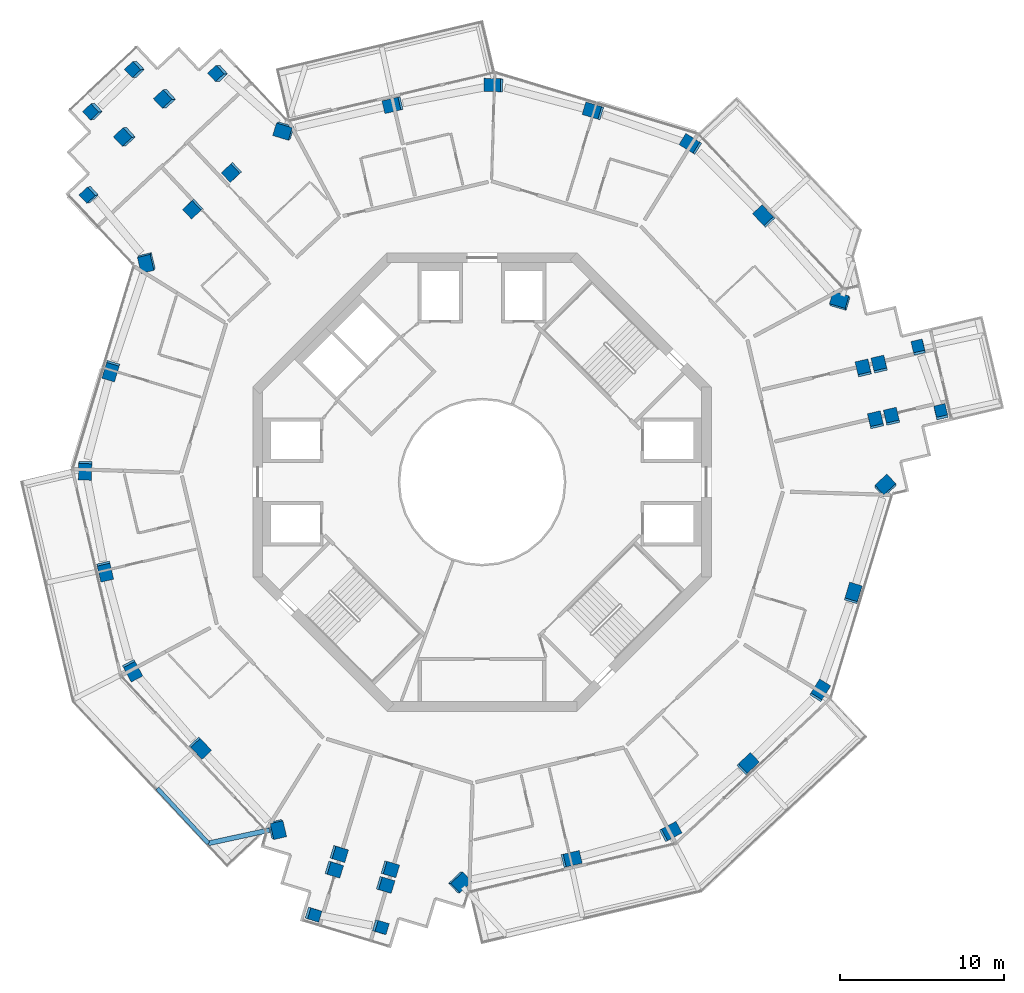
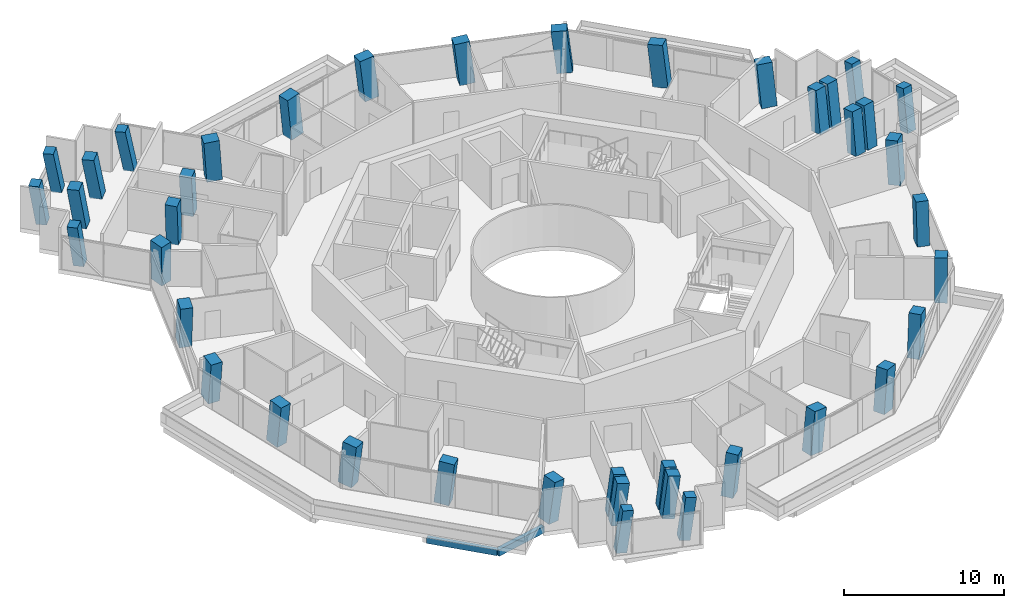
# One storey, part 1 of 24: 41 columns, 2 beams.
"""IFC4 building model written with IfcOpenShell, lengths in metres."""

import ifcopenshell
import ifcopenshell.guid

model = None  # the IFC model being written
_history = None  # IfcOwnerHistory: only IFC2X3 demands one
_inside = {}  # id of a spatial element -> (the spatial element, [elements in it])
_under = {}  # id of a project, library or spatial element -> (it, [spatial elements below it])
_declared = {}  # id of a project -> (the project, [libraries it declares])
_typed = {}  # id of a type object -> (the type object, [elements of that type])
_made_of = {}  # id of a material, layer set ... -> (it, [elements and type objects made of it])


def new_model(schema):
    """Start an empty IFC model of exactly this schema.

    Asked for "IFC4X3", IfcOpenShell would pick the latest addendum, in which some entities
    have other attributes; the version numbers below select the first issue.
    IFC2X3 requires an IfcOwnerHistory on every rooted entity: one is made here for all.
    """
    global model, _history
    if schema == "IFC4X3":
        model = ifcopenshell.file(schema_version=(4, 3, 0, 0))
    else:
        model = ifcopenshell.file(schema=schema)
    _inside.clear()
    _under.clear()
    _declared.clear()
    _typed.clear()
    _made_of.clear()
    _history = None
    if model.schema == "IFC2X3":
        org = make("IfcOrganization", Name="unknown")
        user = make(
            "IfcPersonAndOrganization",
            ThePerson=make("IfcPerson", FamilyName="unknown"),
            TheOrganization=org,
        )
        app = make(
            "IfcApplication",
            ApplicationDeveloper=org,
            Version="unknown",
            ApplicationFullName="unknown",
            ApplicationIdentifier="unknown",
        )
        _history = make(
            "IfcOwnerHistory",
            OwningUser=user,
            OwningApplication=app,
            ChangeAction="ADDED",
            CreationDate=0,
        )
    return model


def make(cls, **values):
    """One entity of the class cls with the attributes given. An attribute that is None is left unset."""
    return model.create_entity(
        cls, **{name: value for name, value in values.items() if value is not None}
    )


def rooted(cls, **values):
    """An entity with a GlobalId (a new one), such as an element, a storey or a relation."""
    return make(cls, GlobalId=ifcopenshell.guid.new(), OwnerHistory=_history, **values)


def si_unit(unit_type, name, prefix=None):
    """IfcSIUnit, for example si_unit("LENGTHUNIT", "METRE", prefix="MILLI")."""
    return make("IfcSIUnit", UnitType=unit_type, Prefix=prefix, Name=name)


def assignment(units):
    """IfcUnitAssignment: the units of a project."""
    return None if units is None else make("IfcUnitAssignment", Units=units)


def point(xyz):
    """IfcCartesianPoint."""
    return None if xyz is None else make("IfcCartesianPoint", Coordinates=xyz)


def direction(xyz):
    """IfcDirection."""
    return None if xyz is None else make("IfcDirection", DirectionRatios=xyz)


def frame(location, z_axis=None, x_axis=None):
    """IfcAxis2Placement3D, a coordinate frame: its origin and axes. An axis left out is left unset."""
    return make(
        "IfcAxis2Placement3D",
        Location=point(location),
        Axis=direction(z_axis),
        RefDirection=direction(x_axis),
    )


def frame_2d(location, x_axis=None):
    """IfcAxis2Placement2D, a coordinate frame in the plane: its origin and x axis."""
    return make(
        "IfcAxis2Placement2D", Location=point(location), RefDirection=direction(x_axis)
    )


def origin():
    """The frame at (0, 0, 0) with its axes left unset."""
    return frame((0.0, 0.0, 0.0))


def origin_2d():
    """The frame at (0, 0) in the plane with its x axis left unset."""
    return frame_2d((0.0, 0.0))


def place(relative_to, where):
    """IfcLocalPlacement: puts the frame where relative to a parent placement (None: the world)."""
    return make(
        "IfcLocalPlacement", PlacementRelTo=relative_to, RelativePlacement=where
    )


def context(
    kind, dimensions, precision=None, world=None, true_north=None, identifier=None
):
    """IfcGeometricRepresentationContext, for example the 3D "Model" context."""
    return make(
        "IfcGeometricRepresentationContext",
        ContextIdentifier=identifier,
        ContextType=kind,
        CoordinateSpaceDimension=dimensions,
        Precision=precision,
        WorldCoordinateSystem=world,
        TrueNorth=true_north,
    )


def subcontext(parent, identifier, kind, view, scale=None):
    """IfcGeometricRepresentationSubContext, for example "Body" below "Model"."""
    return make(
        "IfcGeometricRepresentationSubContext",
        ContextIdentifier=identifier,
        ContextType=kind,
        ParentContext=parent,
        TargetScale=scale,
        TargetView=view,
    )


def project(units=None, contexts=None):
    """IfcProject with its units and contexts."""
    return rooted(
        "IfcProject",
        Name="project",
        RepresentationContexts=contexts,
        UnitsInContext=assignment(units),
    )


def spatial(cls, under=None, at=None, **own):
    """A site, building, storey or space (cls), placed at a placement, below another one or the project."""
    s = rooted(cls, ObjectPlacement=at, **own)
    if under is not None:
        _under.setdefault(under.id(), (under, []))[1].append(s)
    return s


def profile(cls, at=None, kind="AREA", **sizes):
    """A parametric profile (cls). Its sizes go by their IFC names, for example OverallWidth=200.0."""
    return make(cls, ProfileType=kind, Position=at, **sizes)


def rectangle(**sizes):
    """IfcRectangleProfileDef."""
    return profile("IfcRectangleProfileDef", **sizes)


def extrude(swept, where, along, depth):
    """IfcExtrudedAreaSolid: the profile swept, set in the frame where, extruded along a direction by depth."""
    return make(
        "IfcExtrudedAreaSolid",
        SweptArea=swept,
        Position=where,
        ExtrudedDirection=direction(along),
        Depth=depth,
    )


def shape(context_of_items, identifier, shape_type, items):
    """IfcShapeRepresentation: the items that make up one representation, for example the "Body"."""
    return make(
        "IfcShapeRepresentation",
        ContextOfItems=context_of_items,
        RepresentationIdentifier=identifier,
        RepresentationType=shape_type,
        Items=items,
    )


def material(Name=None, Category=None):
    """IfcMaterial."""
    return make("IfcMaterial", Name=Name, Category=Category)


def material_profile(
    of_material, cross_section, Name=None, Category=None, Priority=None
):
    """IfcMaterialProfile: a cross section and its material."""
    return make(
        "IfcMaterialProfile",
        Name=Name,
        Material=of_material,
        Profile=cross_section,
        Priority=Priority,
        Category=Category,
    )


def profile_set(profiles, Name=None, composite=None):
    """IfcMaterialProfileSet."""
    return make(
        "IfcMaterialProfileSet",
        Name=Name,
        MaterialProfiles=profiles,
        CompositeProfile=composite,
    )


def made_of(thing, what):
    """Note that an element or type object is made of a material, layer set ...; save() writes the relation."""
    if what is not None:
        _made_of.setdefault(what.id(), (what, []))[1].append(thing)
    return thing


def type_object(cls, material=None, **own):
    """A type object (cls), such as IfcWallType, which elements share."""
    return made_of(rooted(cls, **own), material)


def element(
    cls,
    number,
    at=None,
    inside=None,
    cuts=None,
    type_object=None,
    material=None,
    context=None,
    identifier="Body",
    shape_type=None,
    held_by="IfcProductDefinitionShape",
    body=None,
    shapes=None,
    **own,
):
    """One element of the class cls, such as IfcWall. Its Tag is "e" and its number.

    at: its placement. inside: the storey or other place that contains it. cuts: it is an
    opening in that element (IfcRelVoidsElement). A single representation is given by context,
    identifier, shape_type and body (its items); several are given by shapes. held_by: the class
    of the entity that holds the representations. save() writes the other relations.
    """
    e = rooted(cls, Tag="e%d" % number, ObjectPlacement=at, **own)
    if body is not None:
        shapes = [shape(context, identifier, shape_type, body)]
    if shapes is not None:
        e.Representation = make(held_by, Representations=shapes)
    if inside is not None:
        _inside.setdefault(inside.id(), (inside, []))[1].append(e)
    if cuts is not None:
        rooted(
            "IfcRelVoidsElement", RelatingBuildingElement=cuts, RelatedOpeningElement=e
        )
    if type_object is not None:
        _typed.setdefault(type_object.id(), (type_object, []))[1].append(e)
    return made_of(e, material)


def aggregate(whole, parts):
    """IfcRelAggregates: a whole, such as a stair, and the parts it consists of."""
    return rooted("IfcRelAggregates", RelatingObject=whole, RelatedObjects=parts)


def save(model, path):
    """Write the relations noted so far, then the file.

    IfcRelAggregates (storeys below a building ...), IfcRelContainedInSpatialStructure (elements
    in a storey), IfcRelDefinesByType, IfcRelAssociatesMaterial and IfcRelDeclares: one each for
    every whole, place, type object, material and project.
    """
    for whole, parts in _under.values():
        aggregate(whole, parts)
    for where, things in _inside.values():
        rooted(
            "IfcRelContainedInSpatialStructure",
            RelatedElements=things,
            RelatingStructure=where,
        )
    for kind, things in _typed.values():
        rooted("IfcRelDefinesByType", RelatedObjects=things, RelatingType=kind)
    for what, things in _made_of.values():
        rooted("IfcRelAssociatesMaterial", RelatedObjects=things, RelatingMaterial=what)
    for by, libraries in _declared.values():
        rooted("IfcRelDeclares", RelatingContext=by, RelatedDefinitions=libraries)
    model.write(path)


model = new_model("IFC4")

# Units and contexts
model_context = context("Model", 3, precision=1e-05, world=origin(), true_north=direction((0.0, 1.0)))
body_context = subcontext(model_context, "Body", "Model", "MODEL_VIEW")
ifc_project = project(units=[si_unit("LENGTHUNIT", "METRE"), si_unit("AREAUNIT", "SQUARE_METRE"), si_unit("VOLUMEUNIT", "CUBIC_METRE"), si_unit("PLANEANGLEUNIT", "RADIAN"), si_unit("MASSUNIT", "GRAM", prefix="KILO")], contexts=[model_context])

# Site, building, storey
site_placement = place(None, origin())
site = spatial("IfcSite", under=ifc_project, at=site_placement, CompositionType="ELEMENT")
building_placement = place(site_placement, origin())
building = spatial("IfcBuilding", under=site, at=building_placement, Name="Verdalira Terraces Hotel", CompositionType="ELEMENT")
storey_placement = place(building_placement, frame((0.0, 0.0, 209.0)))
storey = spatial("IfcBuildingStorey", under=building, at=storey_placement, Name="L51", CompositionType="ELEMENT", Elevation=209.0)

# Columns
ifc_material_1 = material(Name="Concrete C60", Category="concrete")
ifc_material_profile_1 = material_profile(ifc_material_1, rectangle(XDim=1.0, YDim=0.800049, at=origin_2d()), Name="RC 1000X800")
ifc_profile_set_1 = profile_set([ifc_material_profile_1], Name="Concrete C60")
column_type_1 = type_object("IfcColumnType", Name="Column RC 1000X800 C60", PredefinedType="COLUMN", material=ifc_profile_set_1)
column_1_placement = place(storey_placement, frame((-20.467285, 13.439697, 0.0), z_axis=(-0.063091766, -0.097830245, 0.993201224), x_axis=(-0.234082405, 0.968872977, 0.080564146)))
element("IfcColumn", 1, at=column_1_placement, inside=storey, type_object=column_type_1, Name="Column C03", PredefinedType="COLUMN", context=body_context, shape_type="SweptSolid", body=[
    extrude(rectangle(XDim=1.0, YDim=0.800049, at=origin_2d()), origin(), (0.0, 0.0, 1.0), 3.21167),
])
column_2_placement = place(storey_placement, frame((-22.648682, 6.837891, 0.0), z_axis=(-0.031560169, -0.107989012, 0.99365101), x_axis=(-0.286821212, -0.951355255, -0.112502316)))
element("IfcColumn", 2, at=column_2_placement, inside=storey, type_object=column_type_1, Name="Column C04", PredefinedType="COLUMN", context=body_context, shape_type="SweptSolid", body=[
    extrude(rectangle(XDim=1.0, YDim=0.800049, at=origin_2d()), origin(), (0.0, 0.0, 1.0), 3.210205),
])
column_3_placement = place(storey_placement, frame((-24.24292, 0.761963, 0.0), z_axis=(-0.002660825, -0.115327752, 0.99332393), x_axis=(0.031341998, 0.992829822, 0.11535434)))
element("IfcColumn", 3, at=column_3_placement, inside=storey, type_object=column_type_1, Name="Column C05", PredefinedType="COLUMN", context=body_context, shape_type="SweptSolid", body=[
    extrude(rectangle(XDim=1.0, YDim=0.800049, at=origin_2d()), origin(), (0.0, 0.0, 1.0), 3.211426),
])
column_4_placement = place(storey_placement, frame((-23.033203, -5.402344, 0.0), z_axis=(0.026616878, -0.109357343, 0.99364607), x_axis=(0.226786103, -0.967420011, -0.112545929)))
element("IfcColumn", 4, at=column_4_placement, inside=storey, type_object=column_type_1, Name="Column C06", PredefinedType="COLUMN", context=body_context, shape_type="SweptSolid", body=[
    extrude(rectangle(XDim=1.0, YDim=0.800049, at=origin_2d()), origin(), (0.0, 0.0, 1.0), 3.210449),
])
column_5_placement = place(storey_placement, frame((-21.375732, -11.46167, 0.0), z_axis=(0.055345312, -0.101187651, 0.993326711), x_axis=(-0.469249686, 0.875501932, 0.115330388)))
element("IfcColumn", 5, at=column_5_placement, inside=storey, type_object=column_type_1, Name="Column C07", PredefinedType="COLUMN", context=body_context, shape_type="SweptSolid", body=[
    extrude(rectangle(XDim=1.0, YDim=0.800049, at=origin_2d()), origin(), (0.0, 0.0, 1.0), 3.211426),
])
column_6_placement = place(storey_placement, frame((-17.246094, -16.195312, 0.0), z_axis=(0.077721499, -0.081371824, 0.993648829), x_axis=(0.68019237, -0.724346074, -0.112521575)))
element("IfcColumn", 6, at=column_6_placement, inside=storey, type_object=column_type_1, Name="Column C08", PredefinedType="COLUMN", context=body_context, shape_type="SweptSolid", body=[
    extrude(rectangle(XDim=1.0, YDim=0.800049, at=origin_2d()), origin(), (0.0, 0.0, 1.0), 3.210449),
])
column_7_placement = place(storey_placement, frame((-12.55957, -21.186035, 0.0), z_axis=(0.101242684, -0.058830208, 0.993120801), x_axis=(-0.221269095, 0.971915118, 0.080131083)))
element("IfcColumn", 7, at=column_7_placement, inside=storey, type_object=column_type_1, Name="Column C09", PredefinedType="COLUMN", context=body_context, shape_type="SweptSolid", body=[
    extrude(rectangle(XDim=1.0, YDim=0.800049, at=origin_2d()), origin(), (0.0, 0.0, 1.0), 3.212158),
])
column_8_placement = place(storey_placement, frame((-1.405518, -24.445068, 0.0), z_axis=(0.116301267, -0.005701043, 0.99319762), x_axis=(-0.721880622, -0.687309506, 0.080585423)))
element("IfcColumn", 8, at=column_8_placement, inside=storey, type_object=column_type_1, Name="Column C12", PredefinedType="COLUMN", context=body_context, shape_type="SweptSolid", body=[
    extrude(rectangle(XDim=1.0, YDim=0.800049, at=origin_2d()), origin(), (0.0, 0.0, 1.0), 3.21167),
])
column_9_placement = place(storey_placement, frame((5.402344, -23.033203, 0.0), z_axis=(0.109357343, 0.026616878, 0.99364607), x_axis=(0.967420011, 0.226786103, -0.112545929)))
element("IfcColumn", 9, at=column_9_placement, inside=storey, type_object=column_type_1, Name="Column C13", PredefinedType="COLUMN", context=body_context, shape_type="SweptSolid", body=[
    extrude(rectangle(XDim=1.0, YDim=0.800049, at=origin_2d()), origin(), (0.0, 0.0, 1.0), 3.210449),
])
column_10_placement = place(storey_placement, frame((11.46167, -21.375732, 0.0), z_axis=(0.101187651, 0.055345312, 0.993326711), x_axis=(-0.875501932, -0.469249686, 0.115330388)))
element("IfcColumn", 10, at=column_10_placement, inside=storey, type_object=column_type_1, Name="Column C14", PredefinedType="COLUMN", context=body_context, shape_type="SweptSolid", body=[
    extrude(rectangle(XDim=1.0, YDim=0.800049, at=origin_2d()), origin(), (0.0, 0.0, 1.0), 3.211426),
])
column_11_placement = place(storey_placement, frame((16.195312, -17.246094, 0.0), z_axis=(0.081371824, 0.077721499, 0.993648829), x_axis=(0.724346074, 0.68019237, -0.112521575)))
element("IfcColumn", 11, at=column_11_placement, inside=storey, type_object=column_type_1, Name="Column C15", PredefinedType="COLUMN", context=body_context, shape_type="SweptSolid", body=[
    extrude(rectangle(XDim=1.0, YDim=0.800049, at=origin_2d()), origin(), (0.0, 0.0, 1.0), 3.210449),
])
column_12_placement = place(storey_placement, frame((20.614014, -12.78125, 0.0), z_axis=(0.059906909, 0.0985271, 0.993329539), x_axis=(-0.523250609, -0.844341944, 0.115306034)))
element("IfcColumn", 12, at=column_12_placement, inside=storey, type_object=column_type_1, Name="Column C16", PredefinedType="COLUMN", context=body_context, shape_type="SweptSolid", body=[
    extrude(rectangle(XDim=1.0, YDim=0.800049, at=origin_2d()), origin(), (0.0, 0.0, 1.0), 3.211426),
])
column_13_placement = place(storey_placement, frame((22.648682, -6.837891, 0.0), z_axis=(0.031560169, 0.107989012, 0.99365101), x_axis=(0.286821212, 0.951355255, -0.112502316)))
element("IfcColumn", 13, at=column_13_placement, inside=storey, type_object=column_type_1, Name="Column C17", PredefinedType="COLUMN", context=body_context, shape_type="SweptSolid", body=[
    extrude(rectangle(XDim=1.0, YDim=0.800049, at=origin_2d()), origin(), (0.0, 0.0, 1.0), 3.210205),
])
column_14_placement = place(storey_placement, frame((24.627441, -0.283691, 0.0), z_axis=(0.000380042, 0.117052919, 0.993125606), x_axis=(-0.731375619, -0.677254149, 0.080103189)))
element("IfcColumn", 14, at=column_14_placement, inside=storey, type_object=column_type_1, Name="Column C18", PredefinedType="COLUMN", context=body_context, shape_type="SweptSolid", body=[
    extrude(rectangle(XDim=1.0, YDim=0.800049, at=origin_2d()), origin(), (0.0, 0.0, 1.0), 3.211914),
])
column_15_placement = place(storey_placement, frame((21.872803, 11.005371, 0.0), z_axis=(-0.053209958, 0.103531375, 0.99320187), x_axis=(0.956204867, -0.281393471, 0.080560333)))
element("IfcColumn", 15, at=column_15_placement, inside=storey, type_object=column_type_1, Name="Column C21", PredefinedType="COLUMN", context=body_context, shape_type="SweptSolid", body=[
    extrude(rectangle(XDim=1.0, YDim=0.800049, at=origin_2d()), origin(), (0.0, 0.0, 1.0), 3.21167),
])
column_16_placement = place(storey_placement, frame((17.246094, 16.195312, 0.0), z_axis=(-0.077721499, 0.081371824, 0.993648829), x_axis=(-0.68019237, 0.724346074, -0.112521575)))
element("IfcColumn", 16, at=column_16_placement, inside=storey, type_object=column_type_1, Name="Column C22", PredefinedType="COLUMN", context=body_context, shape_type="SweptSolid", body=[
    extrude(rectangle(XDim=1.0, YDim=0.800049, at=origin_2d()), origin(), (0.0, 0.0, 1.0), 3.210449),
])
column_17_placement = place(storey_placement, frame((12.78125, 20.614014, 0.0), z_axis=(-0.0985271, 0.059906909, 0.993329539), x_axis=(0.844341944, -0.523250609, 0.115306034)))
element("IfcColumn", 17, at=column_17_placement, inside=storey, type_object=column_type_1, Name="Column C23", PredefinedType="COLUMN", context=body_context, shape_type="SweptSolid", body=[
    extrude(rectangle(XDim=1.0, YDim=0.800049, at=origin_2d()), origin(), (0.0, 0.0, 1.0), 3.211426),
])
column_18_placement = place(storey_placement, frame((6.837891, 22.648682, 0.0), z_axis=(-0.107989012, 0.031560169, 0.99365101), x_axis=(-0.951355255, 0.286821212, -0.112502316)))
element("IfcColumn", 18, at=column_18_placement, inside=storey, type_object=column_type_1, Name="Column C24", PredefinedType="COLUMN", context=body_context, shape_type="SweptSolid", body=[
    extrude(rectangle(XDim=1.0, YDim=0.800049, at=origin_2d()), origin(), (0.0, 0.0, 1.0), 3.210205),
])
column_19_placement = place(storey_placement, frame((0.761963, 24.24292, 0.0), z_axis=(-0.115327752, 0.002660825, 0.99332393), x_axis=(0.992829822, -0.031341998, 0.11535434)))
element("IfcColumn", 19, at=column_19_placement, inside=storey, type_object=column_type_1, Name="Column C25", PredefinedType="COLUMN", context=body_context, shape_type="SweptSolid", body=[
    extrude(rectangle(XDim=1.0, YDim=0.800049, at=origin_2d()), origin(), (0.0, 0.0, 1.0), 3.211426),
])
column_20_placement = place(storey_placement, frame((-5.402344, 23.033203, 0.0), z_axis=(-0.109357343, -0.026616878, 0.99364607), x_axis=(-0.967420011, -0.226786103, -0.112545929)))
element("IfcColumn", 20, at=column_20_placement, inside=storey, type_object=column_type_1, Name="Column C26", PredefinedType="COLUMN", context=body_context, shape_type="SweptSolid", body=[
    extrude(rectangle(XDim=1.0, YDim=0.800049, at=origin_2d()), origin(), (0.0, 0.0, 1.0), 3.210449),
])
column_21_placement = place(storey_placement, frame((-12.067871, 21.469971, 0.0), z_axis=(-0.101621973, -0.058297721, 0.993113463), x_axis=(0.952342438, -0.294306074, 0.080173663)))
element("IfcColumn", 21, at=column_21_placement, inside=storey, type_object=column_type_1, Name="Column C27", PredefinedType="COLUMN", context=body_context, shape_type="SweptSolid", body=[
    extrude(rectangle(XDim=1.0, YDim=0.800049, at=origin_2d()), origin(), (0.0, 0.0, 1.0), 3.212158),
])
ifc_material_2 = material(Name="Concrete C60", Category="concrete")
ifc_material_profile_2 = material_profile(ifc_material_2, rectangle(XDim=0.699951, YDim=0.699951, at=origin_2d()), Name="RC 700X700")
ifc_profile_set_2 = profile_set([ifc_material_profile_2], Name="Concrete C60")
column_type_2 = type_object("IfcColumnType", Name="Column RC 700X700 C60", PredefinedType="COLUMN", material=ifc_profile_set_2)
column_22_placement = place(storey_placement, frame((-16.020508, 24.948486, 0.0), z_axis=(-0.195665893, 0.005328837, 0.980656138), x_axis=(-0.663842953, 0.735319066, -0.136449275)))
element("IfcColumn", 22, at=column_22_placement, inside=storey, type_object=column_type_2, Name="Column C01", PredefinedType="COLUMN", context=body_context, shape_type="SweptSolid", body=[
    extrude(rectangle(XDim=0.699951, YDim=0.699951, at=origin_2d()), origin(), (0.0, 0.0, 1.0), 3.25293),
])
column_23_placement = place(storey_placement, frame((-23.921631, 17.556396, 0.0), z_axis=(-0.161549459, -0.031630478, 0.986357585), x_axis=(0.6727957, -0.73473868, 0.086631509)))
element("IfcColumn", 23, at=column_23_placement, inside=storey, type_object=column_type_2, Name="Column C02", PredefinedType="COLUMN", context=body_context, shape_type="SweptSolid", body=[
    extrude(rectangle(XDim=0.699951, YDim=0.699951, at=origin_2d()), origin(), (0.0, 0.0, 1.0), 3.234131),
])
column_24_placement = place(storey_placement, frame((-10.369385, -26.387451, 0.0), z_axis=(0.125589434, -0.048157784, 0.990912772), x_axis=(0.949017722, -0.285256112, -0.134142888)))
element("IfcColumn", 24, at=column_24_placement, inside=storey, type_object=column_type_2, Name="Column C10", PredefinedType="COLUMN", context=body_context, shape_type="SweptSolid", body=[
    extrude(rectangle(XDim=0.699951, YDim=0.699951, at=origin_2d()), origin(), (0.0, 0.0, 1.0), 3.219238),
])
column_25_placement = place(storey_placement, frame((-6.259766, -27.168701, 0.0), z_axis=(0.129192225, -0.028599805, 0.991207052), x_axis=(0.948628858, -0.287567606, -0.131939992)))
element("IfcColumn", 25, at=column_25_placement, inside=storey, type_object=column_type_2, Name="Column C11", PredefinedType="COLUMN", context=body_context, shape_type="SweptSolid", body=[
    extrude(rectangle(XDim=0.699951, YDim=0.699951, at=origin_2d()), origin(), (0.0, 0.0, 1.0), 3.218262),
])
column_26_placement = place(storey_placement, frame((28.036865, 4.213623, 0.0), z_axis=(-0.021083388, 0.132795012, 0.990919258), x_axis=(-0.22748557, 0.964504425, -0.134095227)))
element("IfcColumn", 26, at=column_26_placement, inside=storey, type_object=column_type_2, Name="Column C19", PredefinedType="COLUMN", context=body_context, shape_type="SweptSolid", body=[
    extrude(rectangle(XDim=0.699951, YDim=0.699951, at=origin_2d()), origin(), (0.0, 0.0, 1.0), 3.219238),
])
column_27_placement = place(storey_placement, frame((26.658691, 8.163086, 0.0), z_axis=(-0.039827446, 0.126158178, 0.991210315), x_axis=(-0.225326969, 0.965311363, -0.131915617)))
element("IfcColumn", 27, at=column_27_placement, inside=storey, type_object=column_type_2, Name="Column C20", PredefinedType="COLUMN", context=body_context, shape_type="SweptSolid", body=[
    extrude(rectangle(XDim=0.699951, YDim=0.699951, at=origin_2d()), origin(), (0.0, 0.0, 1.0), 3.218262),
])
column_28_placement = place(storey_placement, frame((-21.106201, 25.20752, 0.0), z_axis=(-0.196572998, -0.018531882, 0.980314044), x_axis=(-0.707090041, -0.68996494, -0.154829117)))
element("IfcColumn", 28, at=column_28_placement, inside=storey, type_object=column_type_2, Name="Column C28", PredefinedType="COLUMN", context=body_context, shape_type="SweptSolid", body=[
    extrude(rectangle(XDim=0.699951, YDim=0.699951, at=origin_2d()), origin(), (0.0, 0.0, 1.0), 3.253906),
])
column_29_placement = place(storey_placement, frame((-23.677002, 22.642334, 0.0), z_axis=(-0.184792303, -0.030598237, 0.982301152), x_axis=(-0.708821142, -0.68819706, -0.154781767)))
element("IfcColumn", 29, at=column_29_placement, inside=storey, type_object=column_type_2, Name="Column C29", PredefinedType="COLUMN", context=body_context, shape_type="SweptSolid", body=[
    extrude(rectangle(XDim=0.699951, YDim=0.699951, at=origin_2d()), origin(), (0.0, 0.0, 1.0), 3.247314),
])
ifc_material_3 = material(Name="Concrete C60", Category="concrete")
ifc_material_profile_3 = material_profile(ifc_material_3, rectangle(XDim=0.800049, YDim=0.800049, at=origin_2d()), Name="RC 800X800")
ifc_profile_set_3 = profile_set([ifc_material_profile_3], Name="Concrete C60")
column_type_3 = type_object("IfcColumnType", Name="Column RC 800X800 C60", PredefinedType="COLUMN", material=ifc_profile_set_3)
for number, where, z_axis, x_axis, name in (
    (30, (-15.252686, 18.954346, 0.0), (-0.089552019, -0.073283655, 0.993282408), (-0.683748291, 0.729676145, -0.00781017), "Column C30"),
    (31, (-17.626465, 16.725098, 0.0), (-0.078834804, -0.084460432, 0.993303332), (-0.685042438, 0.728463812, 0.007571888), "Column C31"),
):
    element("IfcColumn", number, at=place(storey_placement, frame(where, z_axis=z_axis, x_axis=x_axis)), inside=storey, type_object=column_type_3, Name=name, PredefinedType="COLUMN", context=body_context, shape_type="SweptSolid", body=[
        extrude(rectangle(XDim=0.800049, YDim=0.800049, at=origin_2d()), origin(), (0.0, 0.0, 1.0), 3.211426),
    ])
column_30_placement = place(storey_placement, frame((-19.273193, 23.40332, 0.0), z_axis=(-0.188497998, -0.009920947, 0.982023462), x_axis=(-0.666574802, 0.7356316, -0.12051632)))
element("IfcColumn", 32, at=column_30_placement, inside=storey, type_object=column_type_3, Name="Column C32", PredefinedType="COLUMN", context=body_context, shape_type="SweptSolid", body=[
    extrude(rectangle(XDim=0.800049, YDim=0.800049, at=origin_2d()), origin(), (0.0, 0.0, 1.0), 3.248291),
])
column_31_placement = place(storey_placement, frame((-21.730713, 21.095703, 0.0), z_axis=(-0.17785024, -0.021459491, 0.983823553), x_axis=(-0.669649434, 0.73521472, -0.10501881)))
element("IfcColumn", 33, at=column_31_placement, inside=storey, type_object=column_type_3, Name="Column C33", PredefinedType="COLUMN", context=body_context, shape_type="SweptSolid", body=[
    extrude(rectangle(XDim=0.800049, YDim=0.800049, at=origin_2d()), origin(), (0.0, 0.0, 1.0), 3.242432),
])
for number, where, z_axis, x_axis, name in (
    (34, (-8.788574, -22.686279, 0.0), (0.108177829, -0.040899278, 0.99328989), (-0.290127475, -0.956956173, -0.007805834), "Column C34"),
    (35, (-5.671143, -23.627686, 0.0), (0.112513303, -0.025999696, 0.993310008), (-0.288091286, -0.957573044, 0.007568125), "Column C35"),
):
    element("IfcColumn", number, at=place(storey_placement, frame(where, z_axis=z_axis, x_axis=x_axis)), inside=storey, type_object=column_type_3, Name=name, PredefinedType="COLUMN", context=body_context, shape_type="SweptSolid", body=[
        extrude(rectangle(XDim=0.800049, YDim=0.800049, at=origin_2d()), origin(), (0.0, 0.0, 1.0), 3.211426),
    ])
column_32_placement = place(storey_placement, frame((-9.09375, -23.638916, 0.0), z_axis=(0.112675924, -0.042243974, 0.99273339), x_axis=(-0.289770834, -0.957063972, -0.007836937)))
element("IfcColumn", 36, at=column_32_placement, inside=storey, type_object=column_type_3, Name="Column C36", PredefinedType="COLUMN", context=body_context, shape_type="SweptSolid", body=[
    extrude(rectangle(XDim=0.800049, YDim=0.800049, at=origin_2d()), origin(), (0.0, 0.0, 1.0), 3.213379),
])
column_33_placement = place(storey_placement, frame((-5.960205, -24.584961, 0.0), z_axis=(0.117084069, -0.027352541, 0.992745264), x_axis=(-0.288173967, -0.957547878, 0.007604381)))
element("IfcColumn", 37, at=column_33_placement, inside=storey, type_object=column_type_3, Name="Column C37", PredefinedType="COLUMN", context=body_context, shape_type="SweptSolid", body=[
    extrude(rectangle(XDim=0.800049, YDim=0.800049, at=origin_2d()), origin(), (0.0, 0.0, 1.0), 3.213135),
])
for number, where, z_axis, x_axis, name in (
    (38, (24.04126, 3.731934, 0.0), (-0.018701041, 0.114182777, 0.993283728), (0.97376558, 0.227419455, -0.007809405), "Column C38"),
    (39, (23.297607, 6.902344, 0.0), (-0.033753612, 0.110535476, 0.993298848), (0.973358452, 0.229163593, 0.007574414), "Column C39"),
):
    element("IfcColumn", number, at=place(storey_placement, frame(where, z_axis=z_axis, x_axis=x_axis)), inside=storey, type_object=column_type_3, Name=name, PredefinedType="COLUMN", context=body_context, shape_type="SweptSolid", body=[
        extrude(rectangle(XDim=0.800049, YDim=0.800049, at=origin_2d()), origin(), (0.0, 0.0, 1.0), 3.211426),
    ])
column_34_placement = place(storey_placement, frame((25.018799, 3.944092, 0.0), z_axis=(-0.019754254, 0.118753458, 0.992727246), x_axis=(0.973741894, 0.227519789, -0.007840237)))
element("IfcColumn", 40, at=column_34_placement, inside=storey, type_object=column_type_3, Name="Column C40", PredefinedType="COLUMN", context=body_context, shape_type="SweptSolid", body=[
    extrude(rectangle(XDim=0.800049, YDim=0.800049, at=origin_2d()), origin(), (0.0, 0.0, 1.0), 3.213379),
])
column_35_placement = place(storey_placement, frame((24.27124, 7.130859, 0.0), z_axis=(-0.034874631, 0.115033095, 0.992749287), x_axis=(0.973287597, 0.229463417, 0.00760228)))
element("IfcColumn", 41, at=column_35_placement, inside=storey, type_object=column_type_3, Name="Column C41", PredefinedType="COLUMN", context=body_context, shape_type="SweptSolid", body=[
    extrude(rectangle(XDim=0.800049, YDim=0.800049, at=origin_2d()), origin(), (0.0, 0.0, 1.0), 3.213135),
])

# Beams
ifc_material_4 = material(Name="Concrete C40", Category="concrete")
ifc_material_profile_4 = material_profile(ifc_material_4, rectangle(XDim=0.300049, YDim=0.5, at=origin_2d()), Name="RC 300X500")
ifc_profile_set_4 = profile_set([ifc_material_profile_4], Name="Concrete C40")
beam_type_1 = type_object("IfcBeamType", Name="Balcony cantilever beam RC 300X500 C40", PredefinedType="BEAM", material=ifc_profile_set_4)
beam_1_placement = place(storey_placement, frame((-12.981689, -21.251953, -0.560059), z_axis=(-0.977267993, -0.212007713, 0.0), x_axis=(0.212007713, -0.977267993, 0.0)))
element("IfcBeam", 42, at=beam_1_placement, inside=storey, type_object=beam_type_1, Name="Balcony cantilever beam R12-2", PredefinedType="BEAM", context=body_context, shape_type="SweptSolid", body=[
    extrude(rectangle(XDim=0.300049, YDim=0.5, at=origin_2d()), origin(), (0.0, 0.0, 1.0), 3.819824),
])
ifc_material_5 = material(Name="Concrete C40", Category="concrete")
ifc_material_profile_5 = material_profile(ifc_material_5, rectangle(XDim=0.25, YDim=0.449951, at=origin_2d()), Name="RC 250X450")
ifc_profile_set_5 = profile_set([ifc_material_profile_5], Name="Concrete C40")
beam_type_2 = type_object("IfcBeamType", Name="Balcony edge beam RC 250X450 C40", PredefinedType="BEAM", material=ifc_profile_set_5)
beam_2_placement = place(storey_placement, frame((-19.83374, -18.699951, -0.534912), z_axis=(0.680152917, -0.733070262, 0.0), x_axis=(0.733070262, 0.680152917, 0.0)))
element("IfcBeam", 43, at=beam_2_placement, inside=storey, type_object=beam_type_2, Name="Balcony edge beam R12-1", PredefinedType="BEAM", context=body_context, shape_type="SweptSolid", body=[
    extrude(rectangle(XDim=0.25, YDim=0.449951, at=origin_2d()), origin(), (0.0, 0.0, 1.0), 4.585938),
])

save(model, "model.ifc")
